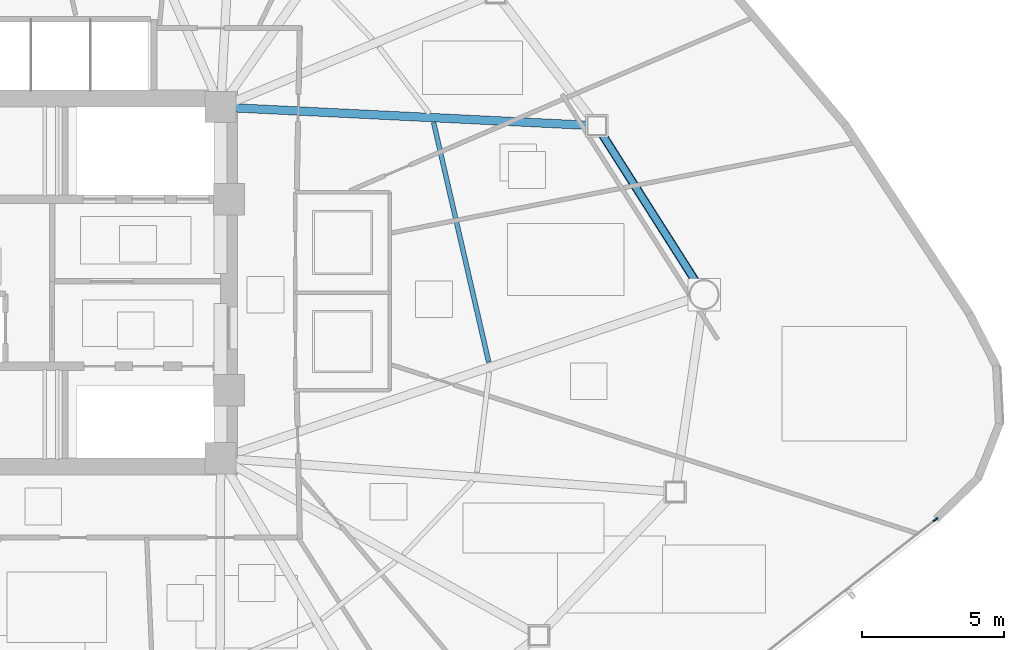
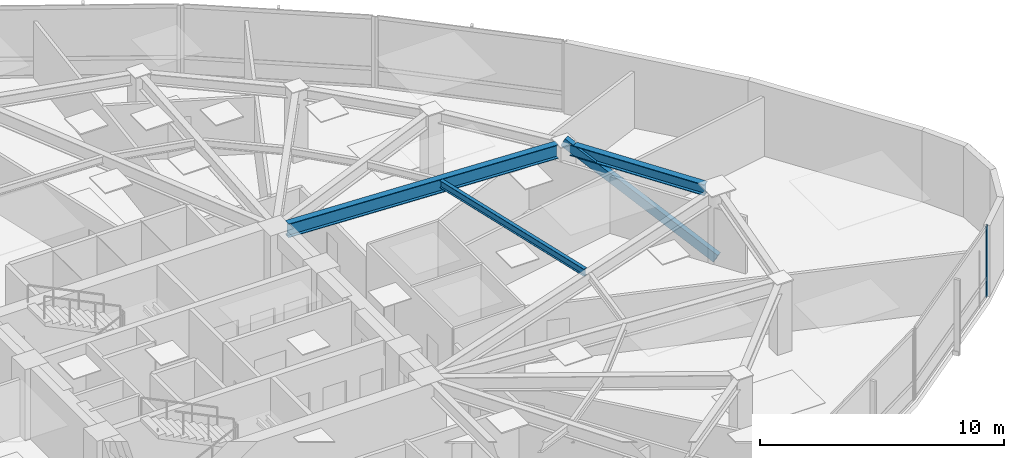
# One storey, part 6 of 17: 3 beams, 2 members, 1 element without a shape of its own.
"""IFC4 building model written with IfcOpenShell, lengths in metres."""

from ifc_helpers import new_model, si_unit, direction, frame, origin, origin_2d, place, context, subcontext, project, spatial, hollow_rectangle, i_section, extrude, source, transform, mapped, material, layer, layer_set, material_profile, profile_set, type_object, type_shapes, element, aggregate, save


model = new_model("IFC4")

# Units and contexts
model_context = context("Model", 3, precision=1e-05, world=origin(), true_north=direction((0.0, 1.0)))
body_context = subcontext(model_context, "Body", "Model", "MODEL_VIEW")
ifc_project = project(units=[si_unit("LENGTHUNIT", "METRE"), si_unit("AREAUNIT", "SQUARE_METRE"), si_unit("VOLUMEUNIT", "CUBIC_METRE"), si_unit("PLANEANGLEUNIT", "RADIAN"), si_unit("MASSUNIT", "GRAM", prefix="KILO")], contexts=[model_context])

# Site, building, storey
site_placement = place(None, origin())
site = spatial("IfcSite", under=ifc_project, at=site_placement, CompositionType="ELEMENT")
building_placement = place(site_placement, origin())
building = spatial("IfcBuilding", under=site, at=building_placement, Name="Tavelor Broadcast Tower", CompositionType="ELEMENT")
storey_placement = place(building_placement, frame((0.0, 0.0, 119.449951171875)))
storey = spatial("IfcBuildingStorey", under=building, at=storey_placement, Name="L27", CompositionType="ELEMENT", Elevation=119.449951171875)

# Beams
ifc_material_1 = material(Name="Steel S355", Category="steel")
ifc_material_profile_1 = material_profile(ifc_material_1, i_section(OverallWidth=0.169921875, OverallDepth=0.360107421875, WebThickness=0.008056640625, FlangeThickness=0.0126953125, at=origin_2d()), Name="IPE 360")
ifc_profile_set_1 = profile_set([ifc_material_profile_1], Name="Steel S355")
beam_type_1 = type_object("IfcBeamType", Name="Composite Floor Joist T3 IPE 360", PredefinedType="JOIST", material=ifc_profile_set_1)
beam_1_placement = place(storey_placement, frame((66.0703125, 42.1953125, 3.3701171875), z_axis=(-0.224119909946, 0.974561576282, 0.0), x_axis=(-0.974561576282, -0.224119909946, 0.0)))
element("IfcBeam", 1, at=beam_1_placement, inside=storey, type_object=beam_type_1, Name="L27 Secondary Composite Floor Joist 13", PredefinedType="JOIST", context=body_context, shape_type="SweptSolid", body=[
    extrude(i_section(OverallWidth=0.169921875, OverallDepth=0.360107421875, WebThickness=0.008056640625, FlangeThickness=0.0126953125, at=origin_2d()), origin(), (0.0, 0.0, 1.0), 8.6796875),
])
ifc_material_profile_2 = material_profile(ifc_material_1, i_section(OverallWidth=0.300048828125, OverallDepth=0.550048828125, WebThickness=0.014892578125, FlangeThickness=0.029052734375, at=origin_2d()), Name="HEB 550")
ifc_profile_set_2 = profile_set([ifc_material_profile_2], Name="Steel S355")
beam_type_2 = type_object("IfcBeamType", Name="Perimeter Spandrel Beam T3 HEB 550", PredefinedType="SPANDREL", material=ifc_profile_set_2)
beam_2_placement = place(storey_placement, frame((73.4013671875, 45.01171875, 3.275146484375), z_axis=(-0.536283466807, 0.844037939449, 0.0), x_axis=(-0.844037939449, -0.536283466807, 0.0)))
element("IfcBeam", 2, at=beam_2_placement, inside=storey, type_object=beam_type_2, Name="L27 Framed-Tube Ring Spandrel 13", PredefinedType="SPANDREL", context=body_context, shape_type="SweptSolid", body=[
    extrude(i_section(OverallWidth=0.300048828125, OverallDepth=0.550048828125, WebThickness=0.014892578125, FlangeThickness=0.029052734375, at=origin_2d()), origin(), (0.0, 0.0, 1.0), 6.21875),
])

# Member
ifc_material_profile_3 = material_profile(ifc_material_1, hollow_rectangle(XDim=0.25, YDim=0.449951171875, WallThickness=0.02001953125, at=origin_2d()), Name="RHS 450x250x20")
ifc_profile_set_3 = profile_set([ifc_material_profile_3], Name="Steel S355")
member_type_1 = type_object("IfcMemberType", Name="Perimeter Tube Brace T3 RHS 450x250x20", PredefinedType="BRACE", material=ifc_profile_set_3)
member_1_placement = place(storey_placement, frame((73.676025390625, 44.57958984375, 0.0), z_axis=(-0.479238755177, 0.754205232397, 0.448892729904), x_axis=(-0.844021198089, -0.536309814544, 0.0)))
element("IfcMember", 3, at=member_1_placement, inside=storey, type_object=member_type_1, Name="L27 Corner Tube Diagonal Brace 3", PredefinedType="BRACE", context=body_context, shape_type="SweptSolid", body=[
    extrude(hollow_rectangle(XDim=0.25, YDim=0.449951171875, WallThickness=0.02001953125, at=origin_2d()), origin(), (0.0, 0.0, 1.0), 7.908447265625),
])

# Beam
ifc_material_profile_4 = material_profile(ifc_material_1, i_section(OverallWidth=0.300048828125, OverallDepth=0.68994140625, WebThickness=0.014404296875, FlangeThickness=0.027099609375, at=origin_2d()), Name="HEA 700")
ifc_profile_set_4 = profile_set([ifc_material_profile_4], Name="Steel S355")
beam_type_3 = type_object("IfcBeamType", Name="Radial Floor Girder T3 HEA 700", PredefinedType="BEAM", material=ifc_profile_set_4)
beam_3_placement = place(storey_placement, frame((57.12744140625, 51.174072265625, 3.205078125), z_axis=(0.998783710906, -0.04930617435, 0.0), x_axis=(0.04930617435, 0.998783710906, 0.0)))
element("IfcBeam", 4, at=beam_3_placement, inside=storey, type_object=beam_type_3, Name="L27 Radial Primary Floor Girder 14", PredefinedType="BEAM", context=body_context, shape_type="SweptSolid", body=[
    extrude(i_section(OverallWidth=0.300048828125, OverallDepth=0.68994140625, WebThickness=0.014404296875, FlangeThickness=0.027099609375, at=origin_2d()), origin(), (0.0, 0.0, 1.0), 12.438232421875),
])

# Curtain wall, member
ifc_material_2 = material(Name="Architectural Anodized Aluminium", Category="aluminium")
ifc_layer = layer(ifc_material_2, 0.18994140625)
ifc_layer_set = layer_set([ifc_layer], Name="Architectural Anodized Aluminium")
curtain_wall_type = type_object("IfcCurtainWallType", Name="Tower Mid-Zone Acoustic Curtain Wall CW03", PredefinedType="NOTDEFINED", material=ifc_layer_set)
curtain_wall_placement = place(storey_placement, origin())
curtain_wall = element("IfcCurtainWall", 5, at=curtain_wall_placement, inside=storey, type_object=curtain_wall_type, Name="L27 Curtain Wall CW03 Run 272", PredefinedType="NOTDEFINED")
ifc_material_profile_5 = material_profile(ifc_material_2, hollow_rectangle(XDim=0.068115234375, YDim=0.18994140625, WallThickness=0.02197265625, at=origin_2d()), Name="RHS 68x190x22")
ifc_profile_set_5 = profile_set([ifc_material_profile_5], Name="Architectural Anodized Aluminium")
member_type_2 = type_object("IfcMemberType", Name="CW03 Extruded Aluminium Mullion 68x190", PredefinedType="MULLION", material=ifc_profile_set_5)
shared_shape = source(origin(), body_context, "Body", "SweptSolid", [
    extrude(hollow_rectangle(XDim=0.068115234375, YDim=0.18994140625, WallThickness=0.02197265625, at=origin_2d()), origin(), (0.0, 0.0, 1.0), 3.550048828125),
])
type_shapes(member_type_2, [shared_shape])
member_2_placement = place(storey_placement, frame((81.84912109375, 36.634033203125, 0.0), z_axis=(0.0, 0.0, 1.0), x_axis=(-0.616718207733, 0.787184001521, 0.0)))
member_2 = element("IfcMember", 6, at=member_2_placement, type_object=member_type_2, Name="CW03 mullion 2", PredefinedType="MULLION", context=body_context, shape_type="MappedRepresentation", body=[
    mapped(shared_shape, transform((0.0, 0.0, 0.0), scale=1.0)),
])
aggregate(curtain_wall, [member_2])

save(model, "model.ifc")
